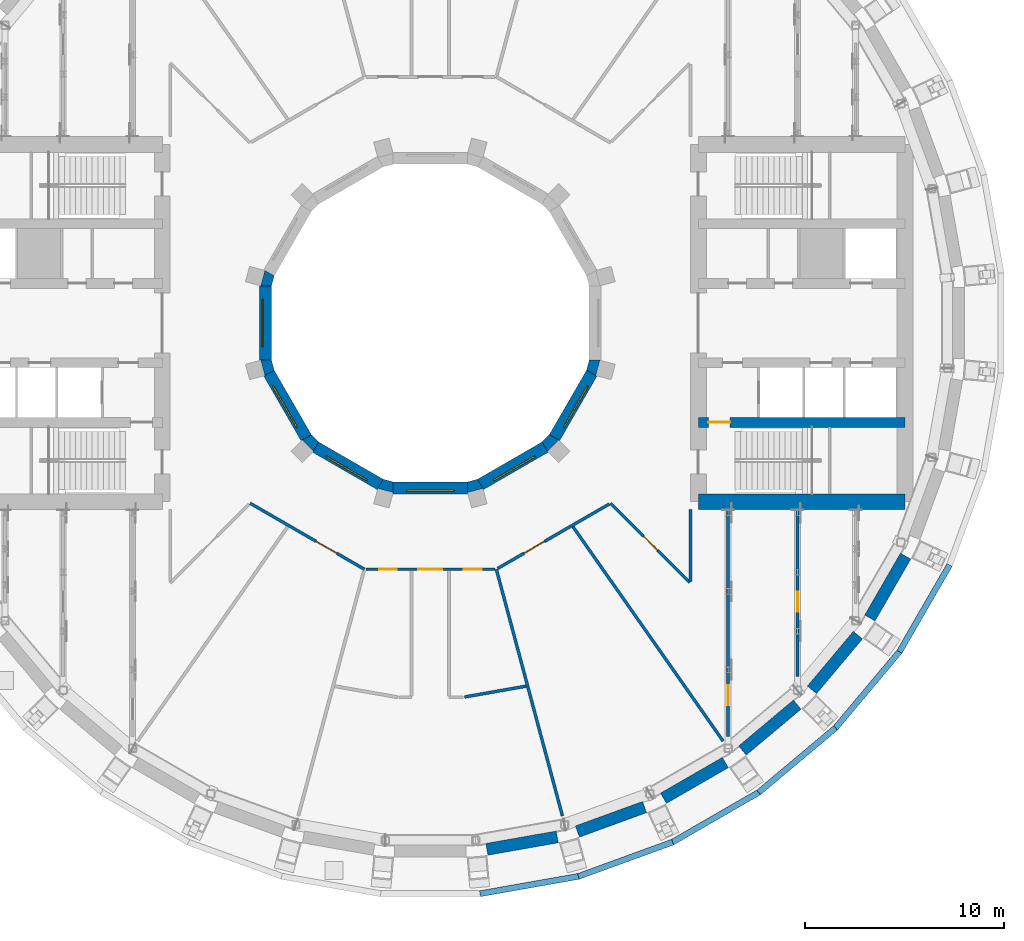
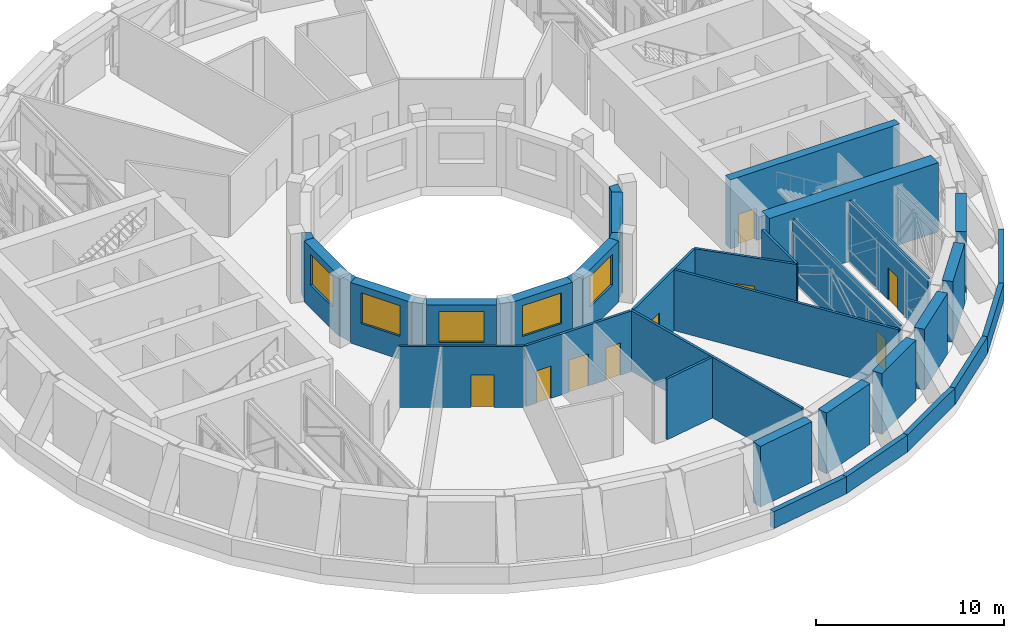
# One storey, part 10 of 19: 37 walls, 9 doors, 6 windows, 15 openings.
"""IFC4 building model written with IfcOpenShell, lengths in metres."""

from ifc_helpers import new_model, si_unit, direction, frame, frame_2d, origin, place, context, subcontext, project, spatial, polyline, rectangle, outline, extrude, material, layer, layer_set, type_object, element, fill, save


model = new_model("IFC4")

# Units and contexts
model_context = context("Model", 3, precision=1e-05, world=origin(), true_north=direction((0.0, 1.0)))
body_context = subcontext(model_context, "Body", "Model", "MODEL_VIEW")
ifc_project = project(units=[si_unit("LENGTHUNIT", "METRE"), si_unit("AREAUNIT", "SQUARE_METRE"), si_unit("VOLUMEUNIT", "CUBIC_METRE"), si_unit("PLANEANGLEUNIT", "RADIAN"), si_unit("MASSUNIT", "GRAM", prefix="KILO")], contexts=[model_context])

# Site, building, storey
site_placement = place(None, origin())
site = spatial("IfcSite", under=ifc_project, at=site_placement, CompositionType="ELEMENT")
building_placement = place(site_placement, origin())
building = spatial("IfcBuilding", under=site, at=building_placement, Name="Saqina Gate Tower", CompositionType="ELEMENT")
storey_placement = place(building_placement, frame((0.0, 0.0, 82.39990234375)))
storey = spatial("IfcBuildingStorey", under=building, at=storey_placement, Name="L23", CompositionType="ELEMENT", Elevation=82.39990234375)

# Walls
ifc_material_1 = material(Name="Brick masonry (buff)", Category="masonry")
ifc_layer_1 = layer(ifc_material_1, 0.60009765625)
ifc_layer_set_1 = layer_set([ifc_layer_1], Name="FW-BRICK-BUFF")
wall_type_1 = type_object("IfcWallType", Name="FW-BRICK-BUFF", PredefinedType="SOLIDWALL", material=ifc_layer_set_1)
for number, where, z_axis, x_axis, name in (
    (1, (2.84716796875, -26.505615234375, 0.0), (0.0, 0.0, 1.0), (0.984806095124, 0.173657579756, 0.0), "Facade wall L23 facet 28"),
    (2, (7.406494140625, -25.6083984375, 0.0), (0.0, 0.0, 1.0), (0.939690348845, 0.342026385367, 0.0), "Facade wall L23 facet 29"),
    (3, (11.74072265625, -23.933349609375, 0.0), (0.0, 0.0, 1.0), (0.866029639064, 0.499992664208, 0.0), "Facade wall L23 facet 30"),
    (4, (15.718505859375, -21.531005859375, 0.0), (0.0, 0.0, 1.0), (0.766036310843, 0.642797301232, 0.0), "Facade wall L23 facet 31"),
    (5, (19.218505859375, -18.474365234375, 0.0), (0.0, 0.0, 1.0), (0.642797301232, 0.766036310843, 0.0), "Facade wall L23 facet 32"),
    (6, (22.134521484375, -14.8564453125, 0.0), (0.0, 0.0, 1.0), (0.499992664208, 0.866029639064, 0.0), "Facade wall L23 facet 33"),
):
    element("IfcWall", number, at=place(storey_placement, frame(where, z_axis=z_axis, x_axis=x_axis)), inside=storey, type_object=wall_type_1, Name=name, PredefinedType="SOLIDWALL", context=body_context, shape_type="SweptSolid", body=[
        extrude(rectangle(XDim=3.59765625, YDim=0.60009765625, at=frame_2d((1.798828125, 0.0))), origin(), (0.0, 0.0, 1.0), 3.9501953125),
    ])

# Wall, opening, window
ifc_material_2 = material(Name="Glazed ceramic tile", Category="ceramic")
ifc_layer_2 = layer(ifc_material_2, 0.60009765625)
ifc_layer_set_2 = layer_set([ifc_layer_2], Name="IW-TILE")
wall_type_2 = type_object("IfcWallType", Name="IW-TILE", PredefinedType="SOLIDWALL", material=ifc_layer_set_2)
wall_1_placement = place(storey_placement, frame((-8.300048828125, 1.873779296875, 0.0), z_axis=(0.0, 0.0, 1.0), x_axis=(0.0, -1.0, 0.0)))
wall_1 = element("IfcWall", 7, at=wall_1_placement, inside=storey, type_object=wall_type_2, Name="Well wall L23 facet 6", PredefinedType="SOLIDWALL", context=body_context, shape_type="SweptSolid", body=[
    extrude(rectangle(XDim=3.74755859375, YDim=0.60009765625, at=frame_2d((1.873779296875, 0.0))), origin(), (0.0, 0.0, 1.0), 3.9501953125),
])
opening_1_placement = place(wall_1_placement, frame((0.673583984375, 0.0, 1.5)))
opening_1 = element("IfcOpeningElement", 8, at=opening_1_placement, cuts=wall_1, Name="Opening L23-W06", PredefinedType="OPENING", context=body_context, shape_type="SweptSolid", body=[
    extrude(rectangle(XDim=2.39990234375, YDim=2.0, at=frame_2d((1.199951171875, 1.0))), frame((0.0, 0.31201171875, 0.0), z_axis=(0.0, -1.0, 0.0), x_axis=(1.0, 0.0, 0.0)), (0.0, 0.0, 1.0), 0.6240234375),
])
ifc_material_3 = material(Name="Aluminium glazing", Category="aluminium")
window_type = type_object("IfcWindowType", Name="WN-P", PartitioningType="SINGLE_PANEL", PredefinedType="WINDOW", material=ifc_material_3)
window_1_placement = place(opening_1_placement, origin())
window_1 = element("IfcWindow", 9, at=window_1_placement, inside=storey, type_object=window_type, Name="Well window L23 facet 6", OverallHeight=2.0, OverallWidth=2.39990234375, PartitioningType="SINGLE_PANEL", PredefinedType="WINDOW", context=body_context, shape_type="SweptSolid", body=[
    extrude(rectangle(XDim=2.39990234375, YDim=2.0, at=frame_2d((1.199951171875, 1.0))), frame((0.0, -0.119873046875, 0.0), z_axis=(0.0, -1.0, 0.0), x_axis=(1.0, 0.0, 0.0)), (0.0, 0.0, 1.0), 0.06005859375),
])
fill(opening_1, window_1)

wall_2_placement = place(storey_placement, frame((-8.124755859375, -2.52734375, 0.0), z_axis=(0.0, 0.0, 1.0), x_axis=(0.499964958637, -0.86604563398, 0.0)))
wall_2 = element("IfcWall", 10, at=wall_2_placement, inside=storey, type_object=wall_type_2, Name="Well wall L23 facet 7", PredefinedType="SOLIDWALL", context=body_context, shape_type="SweptSolid", body=[
    extrude(rectangle(XDim=3.747314453125, YDim=0.60009765625, at=frame_2d((1.87353515625, 0.0))), origin(), (0.0, 0.0, 1.0), 3.9501953125),
])
opening_2_placement = place(wall_2_placement, frame((0.673583984375, 0.0, 1.5)))
opening_2 = element("IfcOpeningElement", 11, at=opening_2_placement, cuts=wall_2, Name="Opening L23-W07", PredefinedType="OPENING", context=body_context, shape_type="SweptSolid", body=[
    extrude(rectangle(XDim=2.39990234375, YDim=2.0, at=frame_2d((1.199951171875, 1.0))), frame((0.0, 0.31201171875, 0.0), z_axis=(0.0, -1.0, 0.0), x_axis=(1.0, 0.0, 0.0)), (0.0, 0.0, 1.0), 0.6240234375),
])
window_2_placement = place(opening_2_placement, origin())
window_2 = element("IfcWindow", 12, at=window_2_placement, inside=storey, type_object=window_type, Name="Well window L23 facet 7", OverallHeight=2.0, OverallWidth=2.39990234375, PartitioningType="SINGLE_PANEL", PredefinedType="WINDOW", context=body_context, shape_type="SweptSolid", body=[
    extrude(rectangle(XDim=2.39990234375, YDim=2.0, at=frame_2d((1.199951171875, 1.0))), frame((0.0, -0.119873046875, 0.0), z_axis=(0.0, -1.0, 0.0), x_axis=(1.0, 0.0, 0.0)), (0.0, 0.0, 1.0), 0.06005859375),
])
fill(opening_2, window_2)

wall_3_placement = place(storey_placement, frame((-5.772705078125, -6.251220703125, 0.0), z_axis=(0.0, 0.0, 1.0), x_axis=(0.86604563398, -0.499964958637, 0.0)))
wall_3 = element("IfcWall", 13, at=wall_3_placement, inside=storey, type_object=wall_type_2, Name="Well wall L23 facet 8", PredefinedType="SOLIDWALL", context=body_context, shape_type="SweptSolid", body=[
    extrude(rectangle(XDim=3.747314453125, YDim=0.60009765625, at=frame_2d((1.87353515625, 0.0))), origin(), (0.0, 0.0, 1.0), 3.9501953125),
])
opening_3_placement = place(wall_3_placement, frame((0.673583984375, 0.0, 1.5)))
opening_3 = element("IfcOpeningElement", 14, at=opening_3_placement, cuts=wall_3, Name="Opening L23-W08", PredefinedType="OPENING", context=body_context, shape_type="SweptSolid", body=[
    extrude(rectangle(XDim=2.39990234375, YDim=2.0, at=frame_2d((1.199951171875, 1.0))), frame((0.0, 0.31201171875, 0.0), z_axis=(0.0, -1.0, 0.0), x_axis=(1.0, 0.0, 0.0)), (0.0, 0.0, 1.0), 0.6240234375),
])
window_3_placement = place(opening_3_placement, origin())
window_3 = element("IfcWindow", 15, at=window_3_placement, inside=storey, type_object=window_type, Name="Well window L23 facet 8", OverallHeight=2.0, OverallWidth=2.39990234375, PartitioningType="SINGLE_PANEL", PredefinedType="WINDOW", context=body_context, shape_type="SweptSolid", body=[
    extrude(rectangle(XDim=2.39990234375, YDim=2.0, at=frame_2d((1.199951171875, 1.0))), frame((0.0, -0.119873046875, 0.0), z_axis=(0.0, -1.0, 0.0), x_axis=(1.0, 0.0, 0.0)), (0.0, 0.0, 1.0), 0.06005859375),
])
fill(opening_3, window_3)

wall_4_placement = place(storey_placement, frame((-1.873779296875, -8.300048828125, 0.0), z_axis=(0.0, 0.0, 1.0), x_axis=(1.0, 0.0, 0.0)))
wall_4 = element("IfcWall", 16, at=wall_4_placement, inside=storey, type_object=wall_type_2, Name="Well wall L23 facet 9", PredefinedType="SOLIDWALL", context=body_context, shape_type="SweptSolid", body=[
    extrude(rectangle(XDim=3.74755859375, YDim=0.60009765625, at=frame_2d((1.873779296875, 0.0))), origin(), (0.0, 0.0, 1.0), 3.9501953125),
])
opening_4_placement = place(wall_4_placement, frame((0.673583984375, 0.0, 1.5)))
opening_4 = element("IfcOpeningElement", 17, at=opening_4_placement, cuts=wall_4, Name="Opening L23-W09", PredefinedType="OPENING", context=body_context, shape_type="SweptSolid", body=[
    extrude(rectangle(XDim=2.39990234375, YDim=2.0, at=frame_2d((1.199951171875, 1.0))), frame((0.0, 0.31201171875, 0.0), z_axis=(0.0, -1.0, 0.0), x_axis=(1.0, 0.0, 0.0)), (0.0, 0.0, 1.0), 0.6240234375),
])
window_4_placement = place(opening_4_placement, origin())
window_4 = element("IfcWindow", 18, at=window_4_placement, inside=storey, type_object=window_type, Name="Well window L23 facet 9", OverallHeight=2.0, OverallWidth=2.39990234375, PartitioningType="SINGLE_PANEL", PredefinedType="WINDOW", context=body_context, shape_type="SweptSolid", body=[
    extrude(rectangle(XDim=2.39990234375, YDim=2.0, at=frame_2d((1.199951171875, 1.0))), frame((0.0, -0.119873046875, 0.0), z_axis=(0.0, -1.0, 0.0), x_axis=(1.0, 0.0, 0.0)), (0.0, 0.0, 1.0), 0.06005859375),
])
fill(opening_4, window_4)

wall_5_placement = place(storey_placement, frame((2.52734375, -8.124755859375, 0.0), z_axis=(0.0, 0.0, 1.0), x_axis=(0.86604563398, 0.499964958637, 0.0)))
wall_5 = element("IfcWall", 19, at=wall_5_placement, inside=storey, type_object=wall_type_2, Name="Well wall L23 facet 10", PredefinedType="SOLIDWALL", context=body_context, shape_type="SweptSolid", body=[
    extrude(rectangle(XDim=3.747314453125, YDim=0.60009765625, at=frame_2d((1.87353515625, 0.0))), origin(), (0.0, 0.0, 1.0), 3.9501953125),
])
opening_5_placement = place(wall_5_placement, frame((0.673583984375, 0.0, 1.5)))
opening_5 = element("IfcOpeningElement", 20, at=opening_5_placement, cuts=wall_5, Name="Opening L23-W10", PredefinedType="OPENING", context=body_context, shape_type="SweptSolid", body=[
    extrude(rectangle(XDim=2.39990234375, YDim=2.0, at=frame_2d((1.199951171875, 1.0))), frame((0.0, 0.31201171875, 0.0), z_axis=(0.0, -1.0, 0.0), x_axis=(1.0, 0.0, 0.0)), (0.0, 0.0, 1.0), 0.6240234375),
])
window_5_placement = place(opening_5_placement, origin())
window_5 = element("IfcWindow", 21, at=window_5_placement, inside=storey, type_object=window_type, Name="Well window L23 facet 10", OverallHeight=2.0, OverallWidth=2.39990234375, PartitioningType="SINGLE_PANEL", PredefinedType="WINDOW", context=body_context, shape_type="SweptSolid", body=[
    extrude(rectangle(XDim=2.39990234375, YDim=2.0, at=frame_2d((1.199951171875, 1.0))), frame((0.0, -0.119873046875, 0.0), z_axis=(0.0, -1.0, 0.0), x_axis=(1.0, 0.0, 0.0)), (0.0, 0.0, 1.0), 0.06005859375),
])
fill(opening_5, window_5)

wall_6_placement = place(storey_placement, frame((6.251220703125, -5.772705078125, 0.0), z_axis=(0.0, 0.0, 1.0), x_axis=(0.499964958637, 0.86604563398, 0.0)))
wall_6 = element("IfcWall", 22, at=wall_6_placement, inside=storey, type_object=wall_type_2, Name="Well wall L23 facet 11", PredefinedType="SOLIDWALL", context=body_context, shape_type="SweptSolid", body=[
    extrude(rectangle(XDim=3.747314453125, YDim=0.60009765625, at=frame_2d((1.87353515625, 0.0))), origin(), (0.0, 0.0, 1.0), 3.9501953125),
])
opening_6_placement = place(wall_6_placement, frame((0.673583984375, 0.0, 1.5)))
opening_6 = element("IfcOpeningElement", 23, at=opening_6_placement, cuts=wall_6, Name="Opening L23-W11", PredefinedType="OPENING", context=body_context, shape_type="SweptSolid", body=[
    extrude(rectangle(XDim=2.39990234375, YDim=2.0, at=frame_2d((1.199951171875, 1.0))), frame((0.0, 0.31201171875, 0.0), z_axis=(0.0, -1.0, 0.0), x_axis=(1.0, 0.0, 0.0)), (0.0, 0.0, 1.0), 0.6240234375),
])
window_6_placement = place(opening_6_placement, origin())
window_6 = element("IfcWindow", 24, at=window_6_placement, inside=storey, type_object=window_type, Name="Well window L23 facet 11", OverallHeight=2.0, OverallWidth=2.39990234375, PartitioningType="SINGLE_PANEL", PredefinedType="WINDOW", context=body_context, shape_type="SweptSolid", body=[
    extrude(rectangle(XDim=2.39990234375, YDim=2.0, at=frame_2d((1.199951171875, 1.0))), frame((0.0, -0.119873046875, 0.0), z_axis=(0.0, -1.0, 0.0), x_axis=(1.0, 0.0, 0.0)), (0.0, 0.0, 1.0), 0.06005859375),
])
fill(opening_6, window_6)

# Walls
ifc_material_4 = material(Name="Brick masonry (buff)", Category="masonry")
ifc_layer_3 = layer(ifc_material_4, 0.300048828125)
ifc_layer_set_3 = layer_set([ifc_layer_3], Name="PA-ROOF")
wall_type_3 = type_object("IfcWallType", Name="PA-ROOF", PredefinedType="PARAPET", material=ifc_layer_set_3)
wall_7_placement = place(storey_placement, frame((2.50146484375, -28.741943359375, 0.0), z_axis=(0.0, 0.0, 1.0), x_axis=(0.984803486589, 0.173672372016, 0.0)))
element("IfcWall", 25, at=wall_7_placement, inside=storey, type_object=wall_type_3, Name="Parapet L23 edge 28", PredefinedType="PARAPET", context=body_context, shape_type="SweptSolid", body=[
    extrude(rectangle(XDim=5.05517578125, YDim=0.300048828125, at=frame_2d((2.527587890625, 0.0))), origin(), (0.0, 0.0, 1.0), 1.10009765625),
])
for number, where, z_axis, x_axis, name in (
    (26, (7.454345703125, -27.870849609375, 0.0), (0.0, 0.0, 1.0), (0.939704554419, 0.341987354158, 0.0), "Parapet L23 edge 29"),
    (27, (12.180908203125, -26.153076171875, 0.0), (0.0, 0.0, 1.0), (0.866014270972, 0.500019282102, 0.0), "Parapet L23 edge 30"),
    (28, (16.537353515625, -23.640380859375, 0.0), (0.0, 0.0, 1.0), (0.766043474013, 0.64278876462, 0.0), "Parapet L23 edge 31"),
    (29, (20.39111328125, -20.40966796875, 0.0), (0.0, 0.0, 1.0), (0.64278876462, 0.766043474013, 0.0), "Parapet L23 edge 32"),
    (30, (23.62548828125, -16.55859375, 0.0), (0.0, 0.0, 1.0), (0.500019282102, 0.866014270972, 0.0), "Parapet L23 edge 33"),
):
    element("IfcWall", number, at=place(storey_placement, frame(where, z_axis=z_axis, x_axis=x_axis)), inside=storey, type_object=wall_type_3, Name=name, PredefinedType="PARAPET", context=body_context, shape_type="SweptSolid", body=[
        extrude(rectangle(XDim=5.054931640625, YDim=0.300048828125, at=frame_2d((2.52734375, 0.0))), origin(), (0.0, 0.0, 1.0), 1.10009765625),
    ])
ifc_material_5 = material(Name="Masonry block and plaster, 150 mm, fire rated", Category="masonry")
ifc_layer_4 = layer(ifc_material_5, 0.14990234375)
ifc_layer_set_4 = layer_set([ifc_layer_4], Name="SPECIAL PARTITION EI 60 150")
wall_type_4 = type_object("IfcWallType", Name="SPECIAL PARTITION EI 60 150", PredefinedType="PARTITIONING", material=ifc_layer_set_4)
wall_8_placement = place(storey_placement, frame((3.322998046875, -12.39990234375, 0.0), z_axis=(0.0, 0.0, 1.0), x_axis=(0.258824952043, -0.96592424351, 0.0)))
element("IfcWall", 31, at=wall_8_placement, inside=storey, type_object=wall_type_4, Name="PARTITION 002", PredefinedType="PARTITIONING", context=body_context, shape_type="SweptSolid", body=[
    extrude(rectangle(XDim=12.8623046875, YDim=0.14990234375, at=frame_2d((6.43115234375, 0.0))), origin(), (0.0, 0.0, 1.0), 3.9501953125),
])
wall_9_placement = place(storey_placement, frame((7.18212890625, -10.257568359375, 0.0), z_axis=(0.0, 0.0, 1.0), x_axis=(0.573601596314, -0.819134426518, 0.0)))
element("IfcWall", 32, at=wall_9_placement, inside=storey, type_object=wall_type_4, Name="PARTITION 004", PredefinedType="PARTITIONING", context=body_context, shape_type="SweptSolid", body=[
    extrude(rectangle(XDim=13.177734375, YDim=0.14990234375, at=frame_2d((6.5888671875, 0.0))), origin(), (0.0, 0.0, 1.0), 3.9501953125),
])

# Wall, opening, door
wall_10_placement = place(storey_placement, frame((9.076904296875, -9.076904296875, 0.0), z_axis=(0.0, 0.0, 1.0), x_axis=(0.707106781187, -0.707106781187, 0.0)))
wall_10 = element("IfcWall", 33, at=wall_10_placement, inside=storey, type_object=wall_type_4, Name="PARTITION 006", PredefinedType="PARTITIONING", context=body_context, shape_type="SweptSolid", body=[
    extrude(rectangle(XDim=5.649658203125, YDim=0.14990234375, at=frame_2d((2.82470703125, 0.0))), origin(), (0.0, 0.0, 1.0), 3.9501953125),
])
opening_7_placement = place(wall_10_placement, frame((2.3447265625, 0.0, 0.0)))
opening_7 = element("IfcOpeningElement", 34, at=opening_7_placement, cuts=wall_10, Name="Opening L23-D21", PredefinedType="OPENING", context=body_context, shape_type="SweptSolid", body=[
    extrude(rectangle(XDim=1.0, YDim=2.10009765625, at=frame_2d((0.5, 1.050048828125))), frame((0.0, 0.0869140625, 0.0), z_axis=(0.0, -1.0, 0.0), x_axis=(1.0, 0.0, 0.0)), (0.0, 0.0, 1.0), 0.173828125),
])
ifc_material_6 = material(Name="Steel-framed fire door leaf, EI 60", Category="steel")
door_type_1 = type_object("IfcDoorType", Name="SPECIAL DOOR 1000 FIRE EI 60", OperationType="SINGLE_SWING_LEFT", PredefinedType="DOOR", material=ifc_material_6)
door_1_placement = place(opening_7_placement, frame((1.0, 0.0, 0.0), z_axis=(0.0, 0.0, 1.0), x_axis=(-1.0, 0.0, 0.0)))
door_1 = element("IfcDoor", 35, at=door_1_placement, inside=storey, type_object=door_type_1, Name="DOOR L23-D21", OperationType="SINGLE_SWING_LEFT", OverallHeight=2.10009765625, OverallWidth=1.0, PredefinedType="DOOR", context=body_context, shape_type="SweptSolid", body=[
    extrude(rectangle(XDim=1.0, YDim=2.10009765625, at=frame_2d((0.5, 1.050048828125))), frame((0.0, 0.02490234375, 0.0), z_axis=(0.0, -1.0, 0.0), x_axis=(1.0, 0.0, 0.0)), (0.0, 0.0, 1.0), 0.050048828125),
])
fill(opening_7, door_1)

wall_11_placement = place(storey_placement, frame((-9.076904296875, -9.076904296875, 0.0), z_axis=(0.0, 0.0, 1.0), x_axis=(0.865961614908, -0.500110469302, 0.0)))
wall_11 = element("IfcWall", 36, at=wall_11_placement, inside=storey, type_object=wall_type_4, Name="PARTITION 007", PredefinedType="PARTITIONING", context=body_context, shape_type="SweptSolid", body=[
    extrude(rectangle(XDim=6.64453125, YDim=0.14990234375, at=frame_2d((3.322265625, 0.0))), origin(), (0.0, 0.0, 1.0), 3.9501953125),
])
opening_8_placement = place(wall_11_placement, frame((3.84130859375, 0.0, 0.0)))
opening_8 = element("IfcOpeningElement", 37, at=opening_8_placement, cuts=wall_11, Name="Opening L23-D15", PredefinedType="OPENING", context=body_context, shape_type="SweptSolid", body=[
    extrude(rectangle(XDim=1.199951171875, YDim=2.10009765625, at=frame_2d((0.60009765625, 1.050048828125))), frame((0.0, 0.0869140625, 0.0), z_axis=(0.0, -1.0, 0.0), x_axis=(1.0, 0.0, 0.0)), (0.0, 0.0, 1.0), 0.173828125),
])
ifc_material_7 = material(Name="Steel-framed fire door leaf, EI 60", Category="steel")
door_type_2 = type_object("IfcDoorType", Name="SPECIAL DOOR 1200 FIRE EI 60", OperationType="SINGLE_SWING_LEFT", PredefinedType="DOOR", material=ifc_material_7)
door_2_placement = place(opening_8_placement, origin())
door_2 = element("IfcDoor", 38, at=door_2_placement, inside=storey, type_object=door_type_2, Name="DOOR L23-D15", OperationType="SINGLE_SWING_RIGHT", OverallHeight=2.10009765625, OverallWidth=1.199951171875, PredefinedType="DOOR", context=body_context, shape_type="SweptSolid", body=[
    extrude(rectangle(XDim=1.199951171875, YDim=2.10009765625, at=frame_2d((0.60009765625, 1.050048828125))), frame((0.0, 0.02490234375, 0.0), z_axis=(0.0, -1.0, 0.0), x_axis=(1.0, 0.0, 0.0)), (0.0, 0.0, 1.0), 0.050048828125),
])
fill(opening_8, door_2)

# Wall, openings, doors
wall_12_placement = place(storey_placement, frame((-3.248046875, -12.39990234375, 0.0), z_axis=(0.0, 0.0, 1.0), x_axis=(1.0, 0.0, 0.0)))
wall_12 = element("IfcWall", 39, at=wall_12_placement, inside=storey, type_object=wall_type_4, Name="PARTITION 013", PredefinedType="PARTITIONING", context=body_context, shape_type="SweptSolid", body=[
    extrude(rectangle(XDim=6.49609375, YDim=0.14990234375, at=frame_2d((3.248046875, 0.0))), origin(), (0.0, 0.0, 1.0), 3.9501953125),
])
opening_9_placement = place(wall_12_placement, frame((0.66162109375, 0.0, 0.0)))
opening_9 = element("IfcOpeningElement", 40, at=opening_9_placement, cuts=wall_12, Name="Opening L23-D16", PredefinedType="OPENING", context=body_context, shape_type="SweptSolid", body=[
    extrude(rectangle(XDim=0.89990234375, YDim=2.10009765625, at=frame_2d((0.449951171875, 1.050048828125))), frame((0.0, 0.0869140625, 0.0), z_axis=(0.0, -1.0, 0.0), x_axis=(1.0, 0.0, 0.0)), (0.0, 0.0, 1.0), 0.173828125),
])
opening_10_placement = place(wall_12_placement, frame((2.64794921875, 0.0, 0.0)))
opening_10 = element("IfcOpeningElement", 41, at=opening_10_placement, cuts=wall_12, Name="Opening L23-D17", PredefinedType="OPENING", context=body_context, shape_type="SweptSolid", body=[
    extrude(rectangle(XDim=1.199951171875, YDim=2.10009765625, at=frame_2d((0.60009765625, 1.050048828125))), frame((0.0, 0.0869140625, 0.0), z_axis=(0.0, -1.0, 0.0), x_axis=(1.0, 0.0, 0.0)), (0.0, 0.0, 1.0), 0.173828125),
])
opening_11_placement = place(wall_12_placement, frame((4.9345703125, 0.0, 0.0)))
opening_11 = element("IfcOpeningElement", 42, at=opening_11_placement, cuts=wall_12, Name="Opening L23-D18", PredefinedType="OPENING", context=body_context, shape_type="SweptSolid", body=[
    extrude(rectangle(XDim=0.89990234375, YDim=2.10009765625, at=frame_2d((0.449951171875, 1.050048828125))), frame((0.0, 0.0869140625, 0.0), z_axis=(0.0, -1.0, 0.0), x_axis=(1.0, 0.0, 0.0)), (0.0, 0.0, 1.0), 0.173828125),
])
door_3_placement = place(opening_10_placement, origin())
door_3 = element("IfcDoor", 43, at=door_3_placement, inside=storey, type_object=door_type_2, Name="DOOR L23-D17", OperationType="SINGLE_SWING_LEFT", OverallHeight=2.10009765625, OverallWidth=1.199951171875, PredefinedType="DOOR", context=body_context, shape_type="SweptSolid", body=[
    extrude(rectangle(XDim=1.199951171875, YDim=2.10009765625, at=frame_2d((0.60009765625, 1.050048828125))), frame((0.0, 0.02490234375, 0.0), z_axis=(0.0, -1.0, 0.0), x_axis=(1.0, 0.0, 0.0)), (0.0, 0.0, 1.0), 0.050048828125),
])
fill(opening_10, door_3)
ifc_material_8 = material(Name="Steel-framed fire door leaf, EI 60", Category="steel")
door_type_3 = type_object("IfcDoorType", Name="SPECIAL DOOR 900 FIRE EI 60", OperationType="SINGLE_SWING_LEFT", PredefinedType="DOOR", material=ifc_material_8)
door_4_placement = place(opening_9_placement, frame((0.89990234375, 0.0, 0.0), z_axis=(0.0, 0.0, 1.0), x_axis=(-1.0, 0.0, 0.0)))
door_4 = element("IfcDoor", 44, at=door_4_placement, inside=storey, type_object=door_type_3, Name="DOOR L23-D16", OperationType="SINGLE_SWING_RIGHT", OverallHeight=2.10009765625, OverallWidth=0.89990234375, PredefinedType="DOOR", context=body_context, shape_type="SweptSolid", body=[
    extrude(rectangle(XDim=0.89990234375, YDim=2.10009765625, at=frame_2d((0.449951171875, 1.050048828125))), frame((0.0, 0.02490234375, 0.0), z_axis=(0.0, -1.0, 0.0), x_axis=(1.0, 0.0, 0.0)), (0.0, 0.0, 1.0), 0.050048828125),
])
fill(opening_9, door_4)
door_5_placement = place(opening_11_placement, frame((0.89990234375, 0.0, 0.0), z_axis=(0.0, 0.0, 1.0), x_axis=(-1.0, 0.0, 0.0)))
door_5 = element("IfcDoor", 45, at=door_5_placement, inside=storey, type_object=door_type_3, Name="DOOR L23-D18", OperationType="SINGLE_SWING_LEFT", OverallHeight=2.10009765625, OverallWidth=0.89990234375, PredefinedType="DOOR", context=body_context, shape_type="SweptSolid", body=[
    extrude(rectangle(XDim=0.89990234375, YDim=2.10009765625, at=frame_2d((0.449951171875, 1.050048828125))), frame((0.0, 0.02490234375, 0.0), z_axis=(0.0, -1.0, 0.0), x_axis=(1.0, 0.0, 0.0)), (0.0, 0.0, 1.0), 0.050048828125),
])
fill(opening_11, door_5)

# Wall
wall_13_placement = place(storey_placement, frame((1.722900390625, -18.833984375, 0.0), z_axis=(0.0, 0.0, 1.0), x_axis=(0.984847517417, 0.173422511336, 0.0)))
element("IfcWall", 46, at=wall_13_placement, inside=storey, type_object=wall_type_4, Name="PARTITION 017", PredefinedType="PARTITIONING", context=body_context, shape_type="SweptSolid", body=[
    extrude(rectangle(XDim=3.147705078125, YDim=0.14990234375, at=frame_2d((1.57373046875, 0.0))), origin(), (0.0, 0.0, 1.0), 3.9501953125),
])

# Wall, opening, door
wall_14_placement = place(storey_placement, frame((3.387939453125, -12.362548828125, 0.0), z_axis=(0.0, 0.0, 1.0), x_axis=(0.865967095912, 0.5001009786, 0.0)))
wall_14 = element("IfcWall", 47, at=wall_14_placement, inside=storey, type_object=wall_type_4, Name="PARTITION 019", PredefinedType="PARTITIONING", context=body_context, shape_type="SweptSolid", body=[
    extrude(rectangle(XDim=6.494873046875, YDim=0.14990234375, at=frame_2d((3.24755859375, 0.0))), origin(), (0.0, 0.0, 1.0), 3.9501953125),
])
opening_12_placement = place(wall_14_placement, frame((1.5283203125, 0.0, 0.0)))
opening_12 = element("IfcOpeningElement", 48, at=opening_12_placement, cuts=wall_14, Name="Opening L23-D19", PredefinedType="OPENING", context=body_context, shape_type="SweptSolid", body=[
    extrude(rectangle(XDim=1.199951171875, YDim=2.10009765625, at=frame_2d((0.60009765625, 1.050048828125))), frame((0.0, 0.0869140625, 0.0), z_axis=(0.0, -1.0, 0.0), x_axis=(1.0, 0.0, 0.0)), (0.0, 0.0, 1.0), 0.173828125),
])
door_6_placement = place(opening_12_placement, origin())
door_6 = element("IfcDoor", 49, at=door_6_placement, inside=storey, type_object=door_type_2, Name="DOOR L23-D19", OperationType="SINGLE_SWING_LEFT", OverallHeight=2.10009765625, OverallWidth=1.199951171875, PredefinedType="DOOR", context=body_context, shape_type="SweptSolid", body=[
    extrude(rectangle(XDim=1.199951171875, YDim=2.10009765625, at=frame_2d((0.60009765625, 1.050048828125))), frame((0.0, 0.02490234375, 0.0), z_axis=(0.0, -1.0, 0.0), x_axis=(1.0, 0.0, 0.0)), (0.0, 0.0, 1.0), 0.050048828125),
])
fill(opening_12, door_6)

wall_15_placement = place(storey_placement, frame((18.490966796875, -17.7939453125, 0.0), z_axis=(0.0, 0.0, 1.0), x_axis=(0.0, 1.0, 0.0)))
wall_15 = element("IfcWall", 50, at=wall_15_placement, inside=storey, type_object=wall_type_4, Name="PARTITION 029", PredefinedType="PARTITIONING", context=body_context, shape_type="SweptSolid", body=[
    extrude(rectangle(XDim=8.39404296875, YDim=0.14990234375, at=frame_2d((4.197021484375, 0.0))), origin(), (0.0, 0.0, 1.0), 3.9501953125),
])
opening_13_placement = place(wall_15_placement, frame((3.264404296875, 0.0, 0.0)))
opening_13 = element("IfcOpeningElement", 51, at=opening_13_placement, cuts=wall_15, Name="Opening L23-D22", PredefinedType="OPENING", context=body_context, shape_type="SweptSolid", body=[
    extrude(rectangle(XDim=1.0, YDim=2.10009765625, at=frame_2d((0.5, 1.050048828125))), frame((0.0, 0.0869140625, 0.0), z_axis=(0.0, -1.0, 0.0), x_axis=(1.0, 0.0, 0.0)), (0.0, 0.0, 1.0), 0.173828125),
])
door_7_placement = place(opening_13_placement, origin())
door_7 = element("IfcDoor", 52, at=door_7_placement, inside=storey, type_object=door_type_1, Name="DOOR L23-D22", OperationType="SINGLE_SWING_LEFT", OverallHeight=2.10009765625, OverallWidth=1.0, PredefinedType="DOOR", context=body_context, shape_type="SweptSolid", body=[
    extrude(rectangle(XDim=1.0, YDim=2.10009765625, at=frame_2d((0.5, 1.050048828125))), frame((0.0, 0.02490234375, 0.0), z_axis=(0.0, -1.0, 0.0), x_axis=(1.0, 0.0, 0.0)), (0.0, 0.0, 1.0), 0.050048828125),
])
fill(opening_13, door_7)

wall_16_placement = place(storey_placement, frame((14.9990234375, -20.8359375, 0.0), z_axis=(0.0, 0.0, 1.0), x_axis=(0.0, 1.0, 0.0)))
wall_16 = element("IfcWall", 53, at=wall_16_placement, inside=storey, type_object=wall_type_4, Name="PARTITION 031", PredefinedType="PARTITIONING", context=body_context, shape_type="SweptSolid", body=[
    extrude(rectangle(XDim=11.43603515625, YDim=0.14990234375, at=frame_2d((5.718017578125, 0.0))), origin(), (0.0, 0.0, 1.0), 3.9501953125),
])
opening_14_placement = place(wall_16_placement, frame((1.591064453125, 0.0, 0.0)))
opening_14 = element("IfcOpeningElement", 54, at=opening_14_placement, cuts=wall_16, Name="Opening L23-D20", PredefinedType="OPENING", context=body_context, shape_type="SweptSolid", body=[
    extrude(rectangle(XDim=1.0, YDim=2.10009765625, at=frame_2d((0.5, 1.050048828125))), frame((0.0, 0.0869140625, 0.0), z_axis=(0.0, -1.0, 0.0), x_axis=(1.0, 0.0, 0.0)), (0.0, 0.0, 1.0), 0.173828125),
])
door_8_placement = place(opening_14_placement, origin())
door_8 = element("IfcDoor", 55, at=door_8_placement, inside=storey, type_object=door_type_1, Name="DOOR L23-D20", OperationType="SINGLE_SWING_LEFT", OverallHeight=2.10009765625, OverallWidth=1.0, PredefinedType="DOOR", context=body_context, shape_type="SweptSolid", body=[
    extrude(rectangle(XDim=1.0, YDim=2.10009765625, at=frame_2d((0.5, 1.050048828125))), frame((0.0, 0.02490234375, 0.0), z_axis=(0.0, -1.0, 0.0), x_axis=(1.0, 0.0, 0.0)), (0.0, 0.0, 1.0), 0.050048828125),
])
fill(opening_14, door_8)

# Wall
wall_17_placement = place(storey_placement, frame((13.10009765625, -13.02490234375, 0.0), z_axis=(0.0, 0.0, 1.0), x_axis=(0.0, 1.0, 0.0)))
element("IfcWall", 56, at=wall_17_placement, inside=storey, type_object=wall_type_4, Name="PARTITION 033", PredefinedType="PARTITIONING", context=body_context, shape_type="SweptSolid", body=[
    extrude(rectangle(XDim=3.625, YDim=0.14990234375, at=frame_2d((1.8125, 0.0))), origin(), (0.0, 0.0, 1.0), 3.9501953125),
])

# Wall, opening, door
ifc_material_9 = material(Name="Concrete C70/85", Category="concrete")
ifc_layer_5 = layer(ifc_material_9, 0.5)
ifc_layer_set_5 = layer_set([ifc_layer_5], Name="Concrete C70/85")
wall_type_5 = type_object("IfcWallType", Name="STR-CORE WALL-B-I", PredefinedType="SHEAR", material=ifc_layer_set_5)
wall_18_placement = place(storey_placement, frame((13.5, -5.0, 0.0), z_axis=(0.0, 0.0, 1.0), x_axis=(1.0, 0.0, 0.0)))
wall_18 = element("IfcWall", 57, at=wall_18_placement, inside=storey, type_object=wall_type_5, Name="CORE WALL L23 E-X2", PredefinedType="SHEAR", context=body_context, shape_type="SweptSolid", body=[
    extrude(rectangle(XDim=10.39990234375, YDim=0.5, at=frame_2d((5.199951171875, 0.0))), origin(), (0.0, 0.0, 1.0), 4.5),
])
opening_15_placement = place(wall_18_placement, frame((0.5, 0.0, 0.0)))
opening_15 = element("IfcOpeningElement", 58, at=opening_15_placement, cuts=wall_18, Name="Opening L23-D93", PredefinedType="OPENING", context=body_context, shape_type="SweptSolid", body=[
    extrude(rectangle(XDim=1.10009765625, YDim=2.10009765625, at=frame_2d((0.550048828125, 1.050048828125))), frame((0.0, 0.261962890625, 0.0), z_axis=(0.0, -1.0, 0.0), x_axis=(1.0, 0.0, 0.0)), (0.0, 0.0, 1.0), 0.52392578125),
])
ifc_material_10 = material(Name="Steel", Category="steel")
door_type_4 = type_object("IfcDoorType", Name="FIRE LOBBY DOOR EI 60 WIDE", OperationType="SINGLE_SWING_LEFT", PredefinedType="DOOR", material=ifc_material_10)
door_9_placement = place(opening_15_placement, frame((1.10009765625, 0.0, 0.0), z_axis=(0.0, 0.0, 1.0), x_axis=(-1.0, 0.0, 0.0)))
door_9 = element("IfcDoor", 59, at=door_9_placement, inside=storey, type_object=door_type_4, Name="L23-CD-E04", OperationType="SINGLE_SWING_RIGHT", OverallHeight=2.10009765625, OverallWidth=1.10009765625, PredefinedType="DOOR", context=body_context, shape_type="SweptSolid", body=[
    extrude(rectangle(XDim=1.10009765625, YDim=2.10009765625, at=frame_2d((0.550048828125, 1.050048828125))), frame((0.0, 0.02490234375, 0.0), z_axis=(0.0, -1.0, 0.0), x_axis=(1.0, 0.0, 0.0)), (0.0, 0.0, 1.0), 0.050048828125),
])
fill(opening_15, door_9)

# Walls
ifc_material_11 = material(Name="Concrete C70/85", Category="concrete")
ifc_layer_6 = layer(ifc_material_11, 0.800048828125)
ifc_layer_set_6 = layer_set([ifc_layer_6], Name="Concrete C70/85")
wall_type_6 = type_object("IfcWallType", Name="STR-CORE WALL-B-O", PredefinedType="SHEAR", material=ifc_layer_set_6)
wall_19_placement = place(storey_placement, frame((13.5, -9.0, 0.0), z_axis=(0.0, 0.0, 1.0), x_axis=(1.0, 0.0, 0.0)))
element("IfcWall", 60, at=wall_19_placement, inside=storey, type_object=wall_type_6, Name="CORE WALL L23 E-SE", PredefinedType="SHEAR", context=body_context, shape_type="SweptSolid", body=[
    extrude(rectangle(XDim=10.39990234375, YDim=0.800048828125, at=frame_2d((5.199951171875, 0.0))), origin(), (0.0, 0.0, 1.0), 4.5),
])
ifc_material_12 = material(Name="Glazed ceramic tile", Category="ceramic")
wall_type_7 = type_object("IfcWallType", Name="TILE PIER COPING", PredefinedType="SOLIDWALL", material=ifc_material_12)
wall_20_placement = place(storey_placement, origin())
element("IfcWall", 61, at=wall_20_placement, inside=storey, type_object=wall_type_7, Name="Well pier cap L23 column 6", PredefinedType="SOLIDWALL", context=body_context, shape_type="SweptSolid", body=[
    extrude(outline(polyline([(-8.5380859375, 1.873779296875), (-8.0, 1.873779296875), (-7.864990234375, 2.377197265625), (-8.3310546875, 2.646484375), (-8.5380859375, 1.873779296875)])), origin(), (0.0, 0.0, 1.0), 3.9501953125),
])
wall_21_placement = place(storey_placement, origin())
element("IfcWall", 62, at=wall_21_placement, inside=storey, type_object=wall_type_7, Name="Well pier cap L23 column 7", PredefinedType="SOLIDWALL", context=body_context, shape_type="SweptSolid", body=[
    extrude(outline(polyline([(-8.3310546875, -2.646484375), (-7.864990234375, -2.377197265625), (-8.0, -1.873779296875), (-8.5380859375, -1.873779296875), (-8.3310546875, -2.646484375)])), origin(), (0.0, 0.0, 1.0), 3.9501953125),
])
wall_22_placement = place(storey_placement, origin())
element("IfcWall", 63, at=wall_22_placement, inside=storey, type_object=wall_type_7, Name="Well pier cap L23 column 8", PredefinedType="SOLIDWALL", context=body_context, shape_type="SweptSolid", body=[
    extrude(outline(polyline([(-6.45751953125, -5.891845703125), (-5.891845703125, -6.45751953125), (-5.622802734375, -5.991455078125), (-5.991455078125, -5.622802734375), (-6.45751953125, -5.891845703125)])), origin(), (0.0, 0.0, 1.0), 3.9501953125),
])
wall_23_placement = place(storey_placement, origin())
element("IfcWall", 64, at=wall_23_placement, inside=storey, type_object=wall_type_7, Name="Well pier cap L23 column 9", PredefinedType="SOLIDWALL", context=body_context, shape_type="SweptSolid", body=[
    extrude(outline(polyline([(-1.873779296875, -8.5380859375), (-1.873779296875, -8.0), (-2.377197265625, -7.864990234375), (-2.646484375, -8.3310546875), (-1.873779296875, -8.5380859375)])), origin(), (0.0, 0.0, 1.0), 3.9501953125),
])
wall_24_placement = place(storey_placement, origin())
element("IfcWall", 65, at=wall_24_placement, inside=storey, type_object=wall_type_7, Name="Well pier cap L23 column 10", PredefinedType="SOLIDWALL", context=body_context, shape_type="SweptSolid", body=[
    extrude(outline(polyline([(2.646484375, -8.3310546875), (2.377197265625, -7.864990234375), (1.873779296875, -8.0), (1.873779296875, -8.5380859375), (2.646484375, -8.3310546875)])), origin(), (0.0, 0.0, 1.0), 3.9501953125),
])
wall_25_placement = place(storey_placement, origin())
element("IfcWall", 66, at=wall_25_placement, inside=storey, type_object=wall_type_7, Name="Well pier cap L23 column 11", PredefinedType="SOLIDWALL", context=body_context, shape_type="SweptSolid", body=[
    extrude(outline(polyline([(5.891845703125, -6.45751953125), (6.45751953125, -5.891845703125), (5.991455078125, -5.622802734375), (5.622802734375, -5.991455078125), (5.891845703125, -6.45751953125)])), origin(), (0.0, 0.0, 1.0), 3.9501953125),
])
wall_26_placement = place(storey_placement, origin())
element("IfcWall", 67, at=wall_26_placement, inside=storey, type_object=wall_type_7, Name="Well pier cap L23 column 12", PredefinedType="SOLIDWALL", context=body_context, shape_type="SweptSolid", body=[
    extrude(outline(polyline([(8.5380859375, -1.873779296875), (8.0, -1.873779296875), (7.864990234375, -2.377197265625), (8.3310546875, -2.646484375), (8.5380859375, -1.873779296875)])), origin(), (0.0, 0.0, 1.0), 3.9501953125),
])

save(model, "model.ifc")
